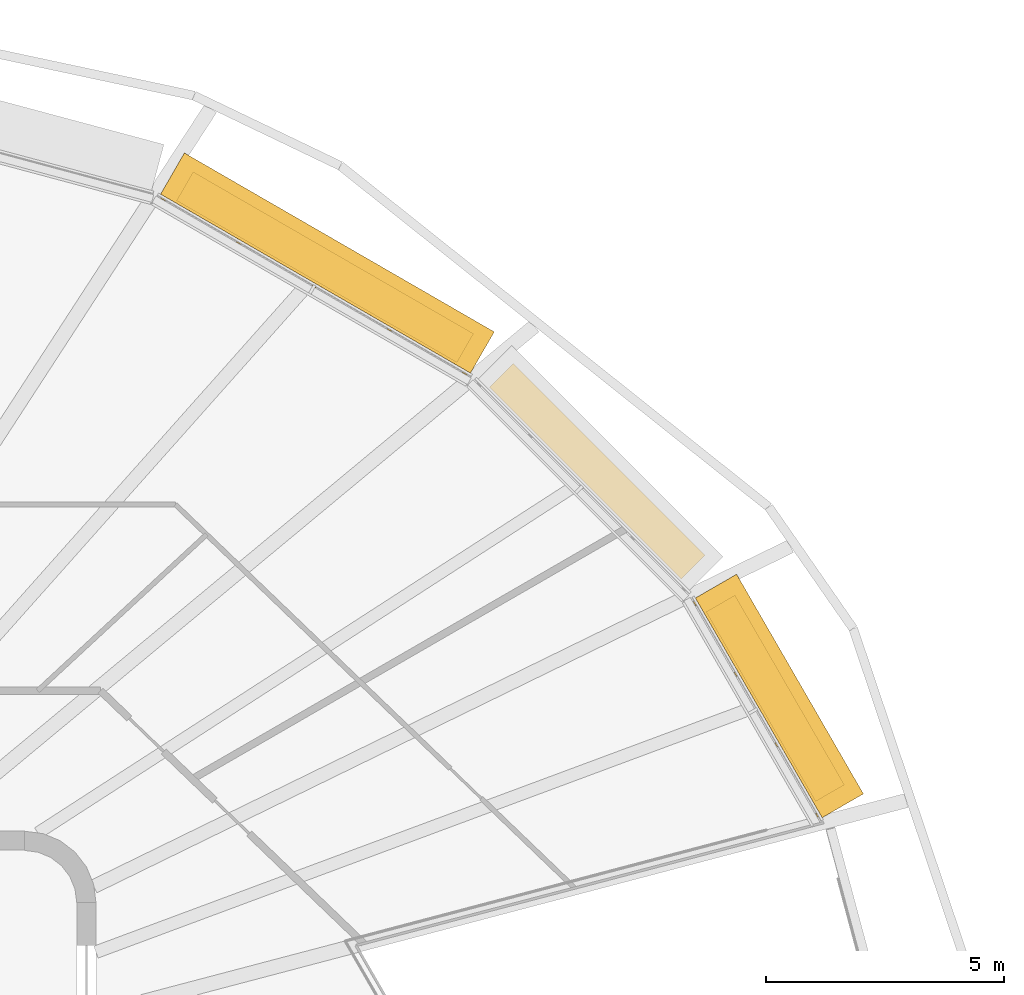
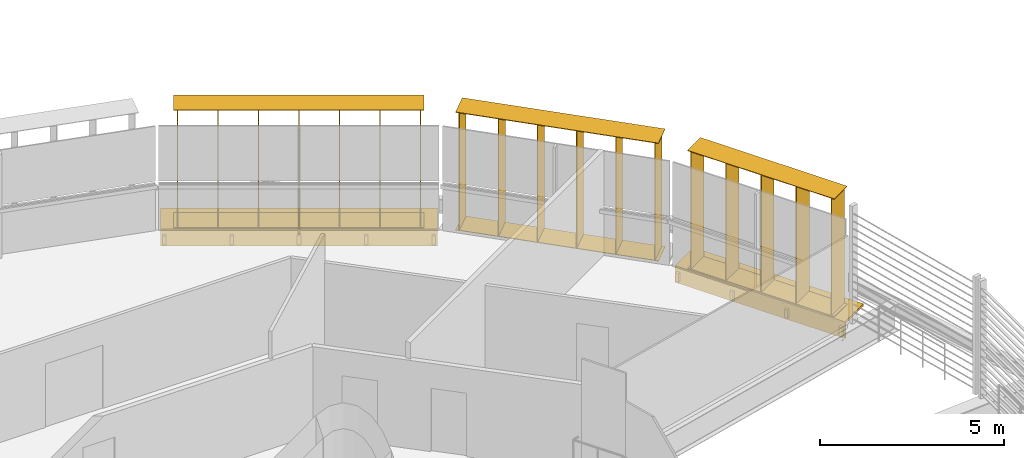
# One storey, part 19 of 19: 5 shading devices.
"""IFC4 building model written with IfcOpenShell, lengths in metres."""

import ifcopenshell
import ifcopenshell.guid

model = None  # the IFC model being written
_history = None  # IfcOwnerHistory: only IFC2X3 demands one
_inside = {}  # id of a spatial element -> (the spatial element, [elements in it])
_under = {}  # id of a project, library or spatial element -> (it, [spatial elements below it])
_declared = {}  # id of a project -> (the project, [libraries it declares])
_typed = {}  # id of a type object -> (the type object, [elements of that type])
_made_of = {}  # id of a material, layer set ... -> (it, [elements and type objects made of it])


def new_model(schema):
    """Start an empty IFC model of exactly this schema.

    Asked for "IFC4X3", IfcOpenShell would pick the latest addendum, in which some entities
    have other attributes; the version numbers below select the first issue.
    IFC2X3 requires an IfcOwnerHistory on every rooted entity: one is made here for all.
    """
    global model, _history
    if schema == "IFC4X3":
        model = ifcopenshell.file(schema_version=(4, 3, 0, 0))
    else:
        model = ifcopenshell.file(schema=schema)
    _inside.clear()
    _under.clear()
    _declared.clear()
    _typed.clear()
    _made_of.clear()
    _history = None
    if model.schema == "IFC2X3":
        org = make("IfcOrganization", Name="unknown")
        user = make(
            "IfcPersonAndOrganization",
            ThePerson=make("IfcPerson", FamilyName="unknown"),
            TheOrganization=org,
        )
        app = make(
            "IfcApplication",
            ApplicationDeveloper=org,
            Version="unknown",
            ApplicationFullName="unknown",
            ApplicationIdentifier="unknown",
        )
        _history = make(
            "IfcOwnerHistory",
            OwningUser=user,
            OwningApplication=app,
            ChangeAction="ADDED",
            CreationDate=0,
        )
    return model


def make(cls, **values):
    """One entity of the class cls with the attributes given. An attribute that is None is left unset."""
    return model.create_entity(
        cls, **{name: value for name, value in values.items() if value is not None}
    )


def rooted(cls, **values):
    """An entity with a GlobalId (a new one), such as an element, a storey or a relation."""
    return make(cls, GlobalId=ifcopenshell.guid.new(), OwnerHistory=_history, **values)


def si_unit(unit_type, name, prefix=None):
    """IfcSIUnit, for example si_unit("LENGTHUNIT", "METRE", prefix="MILLI")."""
    return make("IfcSIUnit", UnitType=unit_type, Prefix=prefix, Name=name)


def assignment(units):
    """IfcUnitAssignment: the units of a project."""
    return None if units is None else make("IfcUnitAssignment", Units=units)


def point(xyz):
    """IfcCartesianPoint."""
    return None if xyz is None else make("IfcCartesianPoint", Coordinates=xyz)


def direction(xyz):
    """IfcDirection."""
    return None if xyz is None else make("IfcDirection", DirectionRatios=xyz)


def frame(location, z_axis=None, x_axis=None):
    """IfcAxis2Placement3D, a coordinate frame: its origin and axes. An axis left out is left unset."""
    return make(
        "IfcAxis2Placement3D",
        Location=point(location),
        Axis=direction(z_axis),
        RefDirection=direction(x_axis),
    )


def frame_2d(location, x_axis=None):
    """IfcAxis2Placement2D, a coordinate frame in the plane: its origin and x axis."""
    return make(
        "IfcAxis2Placement2D", Location=point(location), RefDirection=direction(x_axis)
    )


def origin():
    """The frame at (0, 0, 0) with its axes left unset."""
    return frame((0.0, 0.0, 0.0))


def origin_2d():
    """The frame at (0, 0) in the plane with its x axis left unset."""
    return frame_2d((0.0, 0.0))


def place(relative_to, where):
    """IfcLocalPlacement: puts the frame where relative to a parent placement (None: the world)."""
    return make(
        "IfcLocalPlacement", PlacementRelTo=relative_to, RelativePlacement=where
    )


def context(
    kind, dimensions, precision=None, world=None, true_north=None, identifier=None
):
    """IfcGeometricRepresentationContext, for example the 3D "Model" context."""
    return make(
        "IfcGeometricRepresentationContext",
        ContextIdentifier=identifier,
        ContextType=kind,
        CoordinateSpaceDimension=dimensions,
        Precision=precision,
        WorldCoordinateSystem=world,
        TrueNorth=true_north,
    )


def subcontext(parent, identifier, kind, view, scale=None):
    """IfcGeometricRepresentationSubContext, for example "Body" below "Model"."""
    return make(
        "IfcGeometricRepresentationSubContext",
        ContextIdentifier=identifier,
        ContextType=kind,
        ParentContext=parent,
        TargetScale=scale,
        TargetView=view,
    )


def project(units=None, contexts=None):
    """IfcProject with its units and contexts."""
    return rooted(
        "IfcProject",
        Name="project",
        RepresentationContexts=contexts,
        UnitsInContext=assignment(units),
    )


def spatial(cls, under=None, at=None, **own):
    """A site, building, storey or space (cls), placed at a placement, below another one or the project."""
    s = rooted(cls, ObjectPlacement=at, **own)
    if under is not None:
        _under.setdefault(under.id(), (under, []))[1].append(s)
    return s


def profile(cls, at=None, kind="AREA", **sizes):
    """A parametric profile (cls). Its sizes go by their IFC names, for example OverallWidth=200.0."""
    return make(cls, ProfileType=kind, Position=at, **sizes)


def rectangle(**sizes):
    """IfcRectangleProfileDef."""
    return profile("IfcRectangleProfileDef", **sizes)


def extrude(swept, where, along, depth):
    """IfcExtrudedAreaSolid: the profile swept, set in the frame where, extruded along a direction by depth."""
    return make(
        "IfcExtrudedAreaSolid",
        SweptArea=swept,
        Position=where,
        ExtrudedDirection=direction(along),
        Depth=depth,
    )


def shape(context_of_items, identifier, shape_type, items):
    """IfcShapeRepresentation: the items that make up one representation, for example the "Body"."""
    return make(
        "IfcShapeRepresentation",
        ContextOfItems=context_of_items,
        RepresentationIdentifier=identifier,
        RepresentationType=shape_type,
        Items=items,
    )


def material(Name=None, Category=None):
    """IfcMaterial."""
    return make("IfcMaterial", Name=Name, Category=Category)


def made_of(thing, what):
    """Note that an element or type object is made of a material, layer set ...; save() writes the relation."""
    if what is not None:
        _made_of.setdefault(what.id(), (what, []))[1].append(thing)
    return thing


def type_object(cls, material=None, **own):
    """A type object (cls), such as IfcWallType, which elements share."""
    return made_of(rooted(cls, **own), material)


def element(
    cls,
    number,
    at=None,
    inside=None,
    cuts=None,
    type_object=None,
    material=None,
    context=None,
    identifier="Body",
    shape_type=None,
    held_by="IfcProductDefinitionShape",
    body=None,
    shapes=None,
    **own,
):
    """One element of the class cls, such as IfcWall. Its Tag is "e" and its number.

    at: its placement. inside: the storey or other place that contains it. cuts: it is an
    opening in that element (IfcRelVoidsElement). A single representation is given by context,
    identifier, shape_type and body (its items); several are given by shapes. held_by: the class
    of the entity that holds the representations. save() writes the other relations.
    """
    e = rooted(cls, Tag="e%d" % number, ObjectPlacement=at, **own)
    if body is not None:
        shapes = [shape(context, identifier, shape_type, body)]
    if shapes is not None:
        e.Representation = make(held_by, Representations=shapes)
    if inside is not None:
        _inside.setdefault(inside.id(), (inside, []))[1].append(e)
    if cuts is not None:
        rooted(
            "IfcRelVoidsElement", RelatingBuildingElement=cuts, RelatedOpeningElement=e
        )
    if type_object is not None:
        _typed.setdefault(type_object.id(), (type_object, []))[1].append(e)
    return made_of(e, material)


def aggregate(whole, parts):
    """IfcRelAggregates: a whole, such as a stair, and the parts it consists of."""
    return rooted("IfcRelAggregates", RelatingObject=whole, RelatedObjects=parts)


def save(model, path):
    """Write the relations noted so far, then the file.

    IfcRelAggregates (storeys below a building ...), IfcRelContainedInSpatialStructure (elements
    in a storey), IfcRelDefinesByType, IfcRelAssociatesMaterial and IfcRelDeclares: one each for
    every whole, place, type object, material and project.
    """
    for whole, parts in _under.values():
        aggregate(whole, parts)
    for where, things in _inside.values():
        rooted(
            "IfcRelContainedInSpatialStructure",
            RelatedElements=things,
            RelatingStructure=where,
        )
    for kind, things in _typed.values():
        rooted("IfcRelDefinesByType", RelatedObjects=things, RelatingType=kind)
    for what, things in _made_of.values():
        rooted("IfcRelAssociatesMaterial", RelatedObjects=things, RelatingMaterial=what)
    for by, libraries in _declared.values():
        rooted("IfcRelDeclares", RelatingContext=by, RelatedDefinitions=libraries)
    model.write(path)


model = new_model("IFC4")

# Units and contexts
model_context = context("Model", 3, precision=1e-05, world=origin(), true_north=direction((0.0, 1.0)))
body_context = subcontext(model_context, "Body", "Model", "MODEL_VIEW")
ifc_project = project(units=[si_unit("LENGTHUNIT", "METRE"), si_unit("AREAUNIT", "SQUARE_METRE"), si_unit("VOLUMEUNIT", "CUBIC_METRE"), si_unit("PLANEANGLEUNIT", "RADIAN"), si_unit("MASSUNIT", "GRAM", prefix="KILO")], contexts=[model_context])

# Site, building, storey
site_placement = place(None, origin())
site = spatial("IfcSite", under=ifc_project, at=site_placement, CompositionType="ELEMENT")
building_placement = place(site_placement, origin())
building = spatial("IfcBuilding", under=site, at=building_placement, Name="Sahrelin Media Tower", CompositionType="ELEMENT")
storey_placement = place(building_placement, frame((0.0, 0.0, 287.0)))
storey = spatial("IfcBuildingStorey", under=building, at=storey_placement, Name="L63", CompositionType="ELEMENT", Elevation=287.0)

# Shading devices
ifc_material = material(Name="Champagne anodised aluminium 6063-T6", Category="aluminium")
shading_device_type_1 = type_object("IfcShadingDeviceType", Name="Fin cassette", PredefinedType="USERDEFINED", material=ifc_material)
placement_1 = place(storey_placement, frame((25.900634765625, 9.580078125, 0.0), z_axis=(0.0, 0.0, 1.0), x_axis=(0.500011000363, -0.866019052629, 0.0)))
element("IfcShadingDevice", 1, at=placement_1, inside=storey, type_object=shading_device_type_1, Name="L63:FIN:L63-02", ObjectType="FIN", PredefinedType="USERDEFINED", context=body_context, shape_type="SweptSolid", body=[
    extrude(rectangle(XDim=4.60009765625, YDim=0.699951171875, at=origin_2d()), frame((0.0, 0.419921875, 0.0)), (0.0, 0.0, 1.0), 0.02001953125),
    extrude(rectangle(XDim=4.60009765625, YDim=0.699951171875, at=origin_2d()), frame((0.0, 0.419921875, 3.89990234375)), (0.0, 0.0, 1.0), 0.02001953125),
    extrude(rectangle(XDim=0.02001953125, YDim=0.699951171875, at=origin_2d()), frame((-2.199951171875, 0.419921875, 0.010009765625), z_axis=(0.0, 0.0, 1.0), x_axis=(1.0, 0.0, 0.0)), (0.0, 0.0, 1.0), 3.89990234375),
    extrude(rectangle(XDim=0.02001953125, YDim=0.699951171875, at=origin_2d()), frame((-1.10009765625, 0.419921875, 0.010009765625), z_axis=(0.0, 0.0, 1.0), x_axis=(1.0, 0.0, 0.0)), (0.0, 0.0, 1.0), 3.89990234375),
    extrude(rectangle(XDim=0.02001953125, YDim=0.699951171875, at=origin_2d()), frame((0.0, 0.419921875, 0.010009765625), z_axis=(0.0, 0.0, 1.0), x_axis=(1.0, 0.0, 0.0)), (0.0, 0.0, 1.0), 3.89990234375),
    extrude(rectangle(XDim=0.02001953125, YDim=0.699951171875, at=origin_2d()), frame((1.10009765625, 0.419921875, 0.010009765625), z_axis=(0.0, 0.0, 1.0), x_axis=(1.0, 0.0, 0.0)), (0.0, 0.0, 1.0), 3.89990234375),
    extrude(rectangle(XDim=0.02001953125, YDim=0.699951171875, at=origin_2d()), frame((2.199951171875, 0.419921875, 0.010009765625), z_axis=(0.0, 0.0, 1.0), x_axis=(1.0, 0.0, 0.0)), (0.0, 0.0, 1.0), 3.89990234375),
])
shading_device_2_placement = place(storey_placement, frame((22.2294921875, 14.2626953125, 0.0), z_axis=(0.0, 0.0, 1.0), x_axis=(0.707106781187, -0.707106781187, 0.0)))
element("IfcShadingDevice", 2, at=shading_device_2_placement, inside=storey, type_object=shading_device_type_1, Name="L63:FIN:L63-03", ObjectType="FIN", PredefinedType="USERDEFINED", context=body_context, shape_type="SweptSolid", body=[
    extrude(rectangle(XDim=5.699951171875, YDim=0.699951171875, at=origin_2d()), frame((0.0, 0.419921875, 0.0)), (0.0, 0.0, 1.0), 0.02001953125),
    extrude(rectangle(XDim=5.699951171875, YDim=0.699951171875, at=origin_2d()), frame((0.0, 0.419921875, 3.89990234375)), (0.0, 0.0, 1.0), 0.02001953125),
    extrude(rectangle(XDim=0.02001953125, YDim=0.699951171875, at=origin_2d()), frame((-2.75, 0.419921875, 0.010009765625), z_axis=(0.0, 0.0, 1.0), x_axis=(1.0, 0.0, 0.0)), (0.0, 0.0, 1.0), 3.89990234375),
    extrude(rectangle(XDim=0.02001953125, YDim=0.699951171875, at=origin_2d()), frame((-1.64990234375, 0.419921875, 0.010009765625), z_axis=(0.0, 0.0, 1.0), x_axis=(1.0, 0.0, 0.0)), (0.0, 0.0, 1.0), 3.89990234375),
    extrude(rectangle(XDim=0.02001953125, YDim=0.699951171875, at=origin_2d()), frame((-0.550048828125, 0.419921875, 0.010009765625), z_axis=(0.0, 0.0, 1.0), x_axis=(1.0, 0.0, 0.0)), (0.0, 0.0, 1.0), 3.89990234375),
    extrude(rectangle(XDim=0.02001953125, YDim=0.699951171875, at=origin_2d()), frame((0.550048828125, 0.419921875, 0.010009765625), z_axis=(0.0, 0.0, 1.0), x_axis=(1.0, 0.0, 0.0)), (0.0, 0.0, 1.0), 3.89990234375),
    extrude(rectangle(XDim=0.02001953125, YDim=0.699951171875, at=origin_2d()), frame((1.64990234375, 0.419921875, 0.010009765625), z_axis=(0.0, 0.0, 1.0), x_axis=(1.0, 0.0, 0.0)), (0.0, 0.0, 1.0), 3.89990234375),
    extrude(rectangle(XDim=0.02001953125, YDim=0.699951171875, at=origin_2d()), frame((2.75, 0.419921875, 0.010009765625), z_axis=(0.0, 0.0, 1.0), x_axis=(1.0, 0.0, 0.0)), (0.0, 0.0, 1.0), 3.89990234375),
])
placement_2 = place(storey_placement, frame((16.599853515625, 18.48095703125, 0.0), z_axis=(0.0, 0.0, 1.0), x_axis=(0.866019052629, -0.500011000363, 0.0)))
element("IfcShadingDevice", 3, at=placement_2, inside=storey, type_object=shading_device_type_1, Name="L63:FIN:L63-04", ObjectType="FIN", PredefinedType="USERDEFINED", context=body_context, shape_type="SweptSolid", body=[
    extrude(rectangle(XDim=6.800048828125, YDim=0.699951171875, at=origin_2d()), frame((0.0, 0.419921875, 0.0)), (0.0, 0.0, 1.0), 0.02001953125),
    extrude(rectangle(XDim=6.800048828125, YDim=0.699951171875, at=origin_2d()), frame((0.0, 0.419921875, 3.89990234375)), (0.0, 0.0, 1.0), 0.02001953125),
    extrude(rectangle(XDim=0.02001953125, YDim=0.699951171875, at=origin_2d()), frame((-3.300048828125, 0.419921875, 0.010009765625), z_axis=(0.0, 0.0, 1.0), x_axis=(1.0, 0.0, 0.0)), (0.0, 0.0, 1.0), 3.89990234375),
    extrude(rectangle(XDim=0.02001953125, YDim=0.699951171875, at=origin_2d()), frame((-2.199951171875, 0.419921875, 0.010009765625), z_axis=(0.0, 0.0, 1.0), x_axis=(1.0, 0.0, 0.0)), (0.0, 0.0, 1.0), 3.89990234375),
    extrude(rectangle(XDim=0.02001953125, YDim=0.699951171875, at=origin_2d()), frame((-1.10009765625, 0.419921875, 0.010009765625), z_axis=(0.0, 0.0, 1.0), x_axis=(1.0, 0.0, 0.0)), (0.0, 0.0, 1.0), 3.89990234375),
    extrude(rectangle(XDim=0.02001953125, YDim=0.699951171875, at=origin_2d()), frame((0.0, 0.419921875, 0.010009765625), z_axis=(0.0, 0.0, 1.0), x_axis=(1.0, 0.0, 0.0)), (0.0, 0.0, 1.0), 3.89990234375),
    extrude(rectangle(XDim=0.02001953125, YDim=0.699951171875, at=origin_2d()), frame((1.10009765625, 0.419921875, 0.010009765625), z_axis=(0.0, 0.0, 1.0), x_axis=(1.0, 0.0, 0.0)), (0.0, 0.0, 1.0), 3.89990234375),
    extrude(rectangle(XDim=0.02001953125, YDim=0.699951171875, at=origin_2d()), frame((2.199951171875, 0.419921875, 0.010009765625), z_axis=(0.0, 0.0, 1.0), x_axis=(1.0, 0.0, 0.0)), (0.0, 0.0, 1.0), 3.89990234375),
    extrude(rectangle(XDim=0.02001953125, YDim=0.699951171875, at=origin_2d()), frame((3.300048828125, 0.419921875, 0.010009765625), z_axis=(0.0, 0.0, 1.0), x_axis=(1.0, 0.0, 0.0)), (0.0, 0.0, 1.0), 3.89990234375),
])
shading_device_type_2 = type_object("IfcShadingDeviceType", Name="Sunshade band", PredefinedType="USERDEFINED", material=ifc_material)
element("IfcShadingDevice", 4, at=placement_1, inside=storey, type_object=shading_device_type_2, Name="L63:SUN:L63-02", ObjectType="SUNSHADE", PredefinedType="USERDEFINED", context=body_context, shape_type="SweptSolid", body=[
    extrude(rectangle(XDim=5.326416015625, YDim=0.050048828125, at=origin_2d()), frame((0.0, 0.044921875, -0.55126953125)), (0.0, 0.0, 1.0), 0.471435546875),
    extrude(rectangle(XDim=5.326416015625, YDim=1.0, at=origin_2d()), frame((0.0, 0.52001953125, -0.080078125)), (0.0, 0.0, 1.0), 0.080078125),
    extrude(rectangle(XDim=0.10009765625, YDim=0.074951171875, at=origin_2d()), frame((-2.563232421875, -0.017578125, -0.47021484375)), (0.0, 0.0, 1.0), 0.300048828125),
    extrude(rectangle(XDim=0.10009765625, YDim=0.074951171875, at=origin_2d()), frame((-0.8544921875, -0.017578125, -0.47021484375)), (0.0, 0.0, 1.0), 0.300048828125),
    extrude(rectangle(XDim=0.10009765625, YDim=0.074951171875, at=origin_2d()), frame((0.8544921875, -0.017578125, -0.47021484375)), (0.0, 0.0, 1.0), 0.300048828125),
    extrude(rectangle(XDim=0.10009765625, YDim=0.074951171875, at=origin_2d()), frame((2.563232421875, -0.017578125, -0.47021484375)), (0.0, 0.0, 1.0), 0.300048828125),
])
element("IfcShadingDevice", 5, at=placement_2, inside=storey, type_object=shading_device_type_2, Name="L63:SUN:L63-04", ObjectType="SUNSHADE", PredefinedType="USERDEFINED", context=body_context, shape_type="SweptSolid", body=[
    extrude(rectangle(XDim=7.51416015625, YDim=0.050048828125, at=origin_2d()), frame((0.0, 0.044921875, -0.55126953125)), (0.0, 0.0, 1.0), 0.471435546875),
    extrude(rectangle(XDim=7.51416015625, YDim=1.0, at=origin_2d()), frame((0.0, 0.52001953125, -0.080078125)), (0.0, 0.0, 1.0), 0.080078125),
    extrude(rectangle(XDim=0.10009765625, YDim=0.074951171875, at=origin_2d()), frame((-3.656982421875, -0.017578125, -0.47021484375)), (0.0, 0.0, 1.0), 0.300048828125),
    extrude(rectangle(XDim=0.10009765625, YDim=0.074951171875, at=origin_2d()), frame((-1.82861328125, -0.017578125, -0.47021484375)), (0.0, 0.0, 1.0), 0.300048828125),
    extrude(rectangle(XDim=0.10009765625, YDim=0.074951171875, at=origin_2d()), frame((0.0, -0.017578125, -0.47021484375)), (0.0, 0.0, 1.0), 0.300048828125),
    extrude(rectangle(XDim=0.10009765625, YDim=0.074951171875, at=origin_2d()), frame((1.82861328125, -0.017578125, -0.47021484375)), (0.0, 0.0, 1.0), 0.300048828125),
    extrude(rectangle(XDim=0.10009765625, YDim=0.074951171875, at=origin_2d()), frame((3.656982421875, -0.017578125, -0.47021484375)), (0.0, 0.0, 1.0), 0.300048828125),
])

save(model, "model.ifc")
